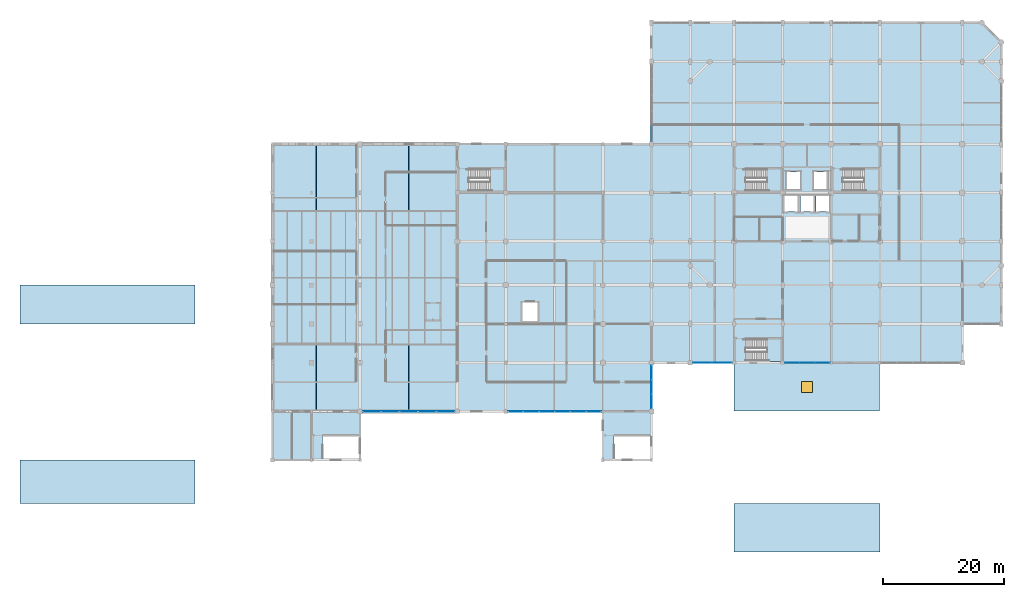
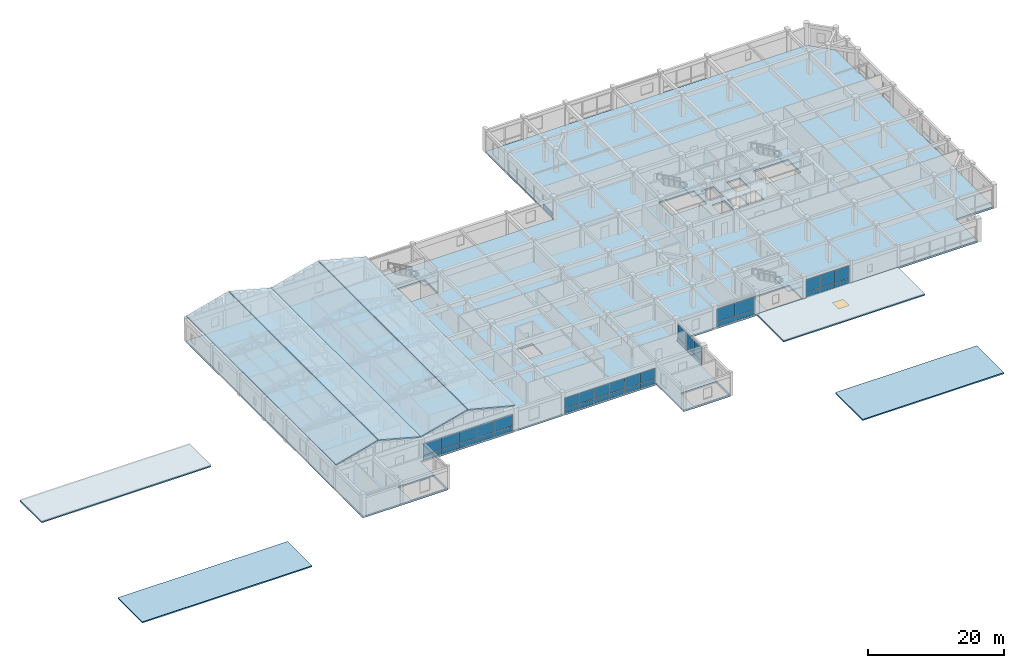
# One storey, part 20 of 35: 39 plates, 13 slabs, 1 window, 1 opening, 10 elements without a shape of their own.
"""IFC4 building model written with IfcOpenShell, lengths in metres."""

from ifc_helpers import new_model, si_unit, direction, frame, origin, origin_2d, place, context, subcontext, project, spatial, polyline, rectangle, outline, extrude, material, layer, layer_set, type_object, element, fill, aggregate, save


model = new_model("IFC4")

# Units and contexts
model_context = context("Model", 3, precision=1e-05, world=origin(), true_north=direction((0.0, 1.0)))
body_context = subcontext(model_context, "Body", "Model", "MODEL_VIEW")
ifc_project = project(units=[si_unit("LENGTHUNIT", "METRE"), si_unit("AREAUNIT", "SQUARE_METRE"), si_unit("VOLUMEUNIT", "CUBIC_METRE"), si_unit("PLANEANGLEUNIT", "RADIAN"), si_unit("MASSUNIT", "GRAM", prefix="KILO")], contexts=[model_context])

# Site, building, storey
site_placement = place(None, origin())
site = spatial("IfcSite", under=ifc_project, at=site_placement, CompositionType="ELEMENT")
building_placement = place(site_placement, origin())
building = spatial("IfcBuilding", under=site, at=building_placement, Name="Vellmiral Cinema and Media Centre", CompositionType="ELEMENT")
storey_placement = place(building_placement, frame((0.0, 0.0, 15.60009765625)))
storey = spatial("IfcBuildingStorey", under=building, at=storey_placement, Name="L03", CompositionType="ELEMENT", Elevation=15.60009765625)

# Curtain wall, plate
ifc_material_1 = material(Name="Thermally Broken Aluminium and Triple Glazing", Category="aluminium")
curtain_wall_type_1 = type_object("IfcCurtainWallType", Name="CW-LIB-BAY", PredefinedType="USERDEFINED", material=ifc_material_1)
curtain_wall_1_placement = place(storey_placement, origin())
curtain_wall_1 = element("IfcCurtainWall", 1, at=curtain_wall_1_placement, inside=storey, type_object=curtain_wall_type_1, Name="Curtain Wall L03-B036", ObjectType="STICK CURTAIN WALL", PredefinedType="USERDEFINED")
ifc_material_2 = material(Name="Honed Vosges Sandstone Spandrel Panel", Category="masonry")
ifc_layer_1 = layer(ifc_material_2, 0.06005859375, Name="Honed Vosges Sandstone Spandrel Panel")
ifc_layer_set_1 = layer_set([ifc_layer_1], Name="Honed Vosges Sandstone Spandrel Panel")
plate_type_1 = type_object("IfcPlateType", Name="CWP-SAND-60", PredefinedType="CURTAIN_PANEL", material=ifc_layer_set_1)
plate_1_placement = place(storey_placement, frame((110.39990234375, 96.9375, 0.06982421875), z_axis=(0.0, 0.0, 1.0), x_axis=(0.0, -1.0, 0.0)))
plate_1 = element("IfcPlate", 2, at=plate_1_placement, type_object=plate_type_1, Name="CW-03 panel 5.1", PredefinedType="CURTAIN_PANEL", context=body_context, shape_type="SweptSolid", body=[
    extrude(rectangle(XDim=2.43505859375, YDim=0.06005859375, at=origin_2d()), origin(), (0.0, 0.0, 1.0), 0.794921875),
])
aggregate(curtain_wall_1, [plate_1])

# Curtain wall, plates
ifc_material_3 = material(Name="Thermally Broken Aluminium and Triple Glazing", Category="aluminium")
curtain_wall_type_2 = type_object("IfcCurtainWallType", Name="CW-POD-GALLERY", PredefinedType="USERDEFINED", material=ifc_material_3)
curtain_wall_2_placement = place(storey_placement, origin())
curtain_wall_2 = element("IfcCurtainWall", 3, at=curtain_wall_2_placement, inside=storey, type_object=curtain_wall_type_2, Name="Curtain Wall L03-B004", ObjectType="STICK CURTAIN WALL", PredefinedType="USERDEFINED")
ifc_material_4 = material(Name="Polychrome Trencadis Ceramic Spandrel Panel", Category="ceramic")
ifc_layer_2 = layer(ifc_material_4, 0.052001953125, Name="Polychrome Trencadis Ceramic Spandrel Panel")
ifc_layer_set_2 = layer_set([ifc_layer_2], Name="Polychrome Trencadis Ceramic Spandrel Panel")
plate_type_2 = type_object("IfcPlateType", Name="CWP-TRENC-52", PredefinedType="CURTAIN_PANEL", material=ifc_layer_set_2)
plate_2_placement = place(storey_placement, frame((64.362548828125, 51.199951171875, 0.06982421875), z_axis=(0.0, 0.0, 1.0), x_axis=(1.0, 0.0, 0.0)))
plate_2 = element("IfcPlate", 4, at=plate_2_placement, type_object=plate_type_2, Name="CW-04 panel 1.1", PredefinedType="CURTAIN_PANEL", context=body_context, shape_type="SweptSolid", body=[
    extrude(rectangle(XDim=2.93505859375, YDim=0.052001953125, at=origin_2d()), origin(), (0.0, 0.0, 1.0), 0.794921875),
])
plate_3_placement = place(storey_placement, frame((67.385009765625, 51.199951171875, 0.06982421875), z_axis=(0.0, 0.0, 1.0), x_axis=(1.0, 0.0, 0.0)))
plate_3 = element("IfcPlate", 5, at=plate_3_placement, type_object=plate_type_2, Name="CW-04 panel 2.1", PredefinedType="CURTAIN_PANEL", context=body_context, shape_type="SweptSolid", body=[
    extrude(rectangle(XDim=2.969970703125, YDim=0.052001953125, at=origin_2d()), origin(), (0.0, 0.0, 1.0), 0.794921875),
])
plate_4_placement = place(storey_placement, frame((70.425048828125, 51.199951171875, 0.06982421875), z_axis=(0.0, 0.0, 1.0), x_axis=(1.0, 0.0, 0.0)))
plate_4 = element("IfcPlate", 6, at=plate_4_placement, type_object=plate_type_2, Name="CW-04 panel 3.1", PredefinedType="CURTAIN_PANEL", context=body_context, shape_type="SweptSolid", body=[
    extrude(rectangle(XDim=2.969970703125, YDim=0.052001953125, at=origin_2d()), origin(), (0.0, 0.0, 1.0), 0.794921875),
])
plate_5_placement = place(storey_placement, frame((73.465087890625, 51.199951171875, 0.06982421875), z_axis=(0.0, 0.0, 1.0), x_axis=(1.0, 0.0, 0.0)))
plate_5 = element("IfcPlate", 7, at=plate_5_placement, type_object=plate_type_2, Name="CW-04 panel 4.1", PredefinedType="CURTAIN_PANEL", context=body_context, shape_type="SweptSolid", body=[
    extrude(rectangle(XDim=2.969970703125, YDim=0.052001953125, at=origin_2d()), origin(), (0.0, 0.0, 1.0), 0.794921875),
])
plate_6_placement = place(storey_placement, frame((76.487548828125, 51.199951171875, 0.06982421875), z_axis=(0.0, 0.0, 1.0), x_axis=(1.0, 0.0, 0.0)))
plate_6 = element("IfcPlate", 8, at=plate_6_placement, type_object=plate_type_2, Name="CW-04 panel 5.1", PredefinedType="CURTAIN_PANEL", context=body_context, shape_type="SweptSolid", body=[
    extrude(rectangle(XDim=2.93505859375, YDim=0.052001953125, at=origin_2d()), origin(), (0.0, 0.0, 1.0), 0.794921875),
])

curtain_wall_3_placement = place(storey_placement, origin())
curtain_wall_3 = element("IfcCurtainWall", 9, at=curtain_wall_3_placement, inside=storey, type_object=curtain_wall_type_2, Name="Curtain Wall L03-B006", ObjectType="STICK CURTAIN WALL", PredefinedType="USERDEFINED")
plate_7_placement = place(storey_placement, frame((88.031982421875, 51.199951171875, 0.06982421875), z_axis=(0.0, 0.0, 1.0), x_axis=(1.0, 0.0, 0.0)))
plate_7 = element("IfcPlate", 10, at=plate_7_placement, type_object=plate_type_2, Name="CW-04 panel 1.1", PredefinedType="CURTAIN_PANEL", context=body_context, shape_type="SweptSolid", body=[
    extrude(rectangle(XDim=2.47412109375, YDim=0.052001953125, at=origin_2d()), origin(), (0.0, 0.0, 1.0), 0.794921875),
])
plate_8_placement = place(storey_placement, frame((90.59375, 51.199951171875, 0.06982421875), z_axis=(0.0, 0.0, 1.0), x_axis=(1.0, 0.0, 0.0)))
plate_8 = element("IfcPlate", 11, at=plate_8_placement, type_object=plate_type_2, Name="CW-04 panel 2.1", PredefinedType="CURTAIN_PANEL", context=body_context, shape_type="SweptSolid", body=[
    extrude(rectangle(XDim=2.50927734375, YDim=0.052001953125, at=origin_2d()), origin(), (0.0, 0.0, 1.0), 0.794921875),
])
plate_9_placement = place(storey_placement, frame((93.1728515625, 51.199951171875, 0.06982421875), z_axis=(0.0, 0.0, 1.0), x_axis=(1.0, 0.0, 0.0)))
plate_9 = element("IfcPlate", 12, at=plate_9_placement, type_object=plate_type_2, Name="CW-04 panel 3.1", PredefinedType="CURTAIN_PANEL", context=body_context, shape_type="SweptSolid", body=[
    extrude(rectangle(XDim=2.50927734375, YDim=0.052001953125, at=origin_2d()), origin(), (0.0, 0.0, 1.0), 0.794921875),
])
plate_10_placement = place(storey_placement, frame((95.752197265625, 51.199951171875, 0.06982421875), z_axis=(0.0, 0.0, 1.0), x_axis=(1.0, 0.0, 0.0)))
plate_10 = element("IfcPlate", 13, at=plate_10_placement, type_object=plate_type_2, Name="CW-04 panel 4.1", PredefinedType="CURTAIN_PANEL", context=body_context, shape_type="SweptSolid", body=[
    extrude(rectangle(XDim=2.50927734375, YDim=0.052001953125, at=origin_2d()), origin(), (0.0, 0.0, 1.0), 0.794921875),
])
plate_11_placement = place(storey_placement, frame((98.331298828125, 51.199951171875, 0.06982421875), z_axis=(0.0, 0.0, 1.0), x_axis=(1.0, 0.0, 0.0)))
plate_11 = element("IfcPlate", 14, at=plate_11_placement, type_object=plate_type_2, Name="CW-04 panel 5.1", PredefinedType="CURTAIN_PANEL", context=body_context, shape_type="SweptSolid", body=[
    extrude(rectangle(XDim=2.50927734375, YDim=0.052001953125, at=origin_2d()), origin(), (0.0, 0.0, 1.0), 0.794921875),
])
plate_12_placement = place(storey_placement, frame((100.892822265625, 51.199951171875, 0.06982421875), z_axis=(0.0, 0.0, 1.0), x_axis=(1.0, 0.0, 0.0)))
plate_12 = element("IfcPlate", 15, at=plate_12_placement, type_object=plate_type_2, Name="CW-04 panel 6.1", PredefinedType="CURTAIN_PANEL", context=body_context, shape_type="SweptSolid", body=[
    extrude(rectangle(XDim=2.47412109375, YDim=0.052001953125, at=origin_2d()), origin(), (0.0, 0.0, 1.0), 0.794921875),
])

curtain_wall_4_placement = place(storey_placement, origin())
curtain_wall_4 = element("IfcCurtainWall", 16, at=curtain_wall_4_placement, inside=storey, type_object=curtain_wall_type_2, Name="Curtain Wall L03-B010", ObjectType="STICK CURTAIN WALL", PredefinedType="USERDEFINED")
plate_13_placement = place(storey_placement, frame((110.39990234375, 52.83837890625, 0.06982421875), z_axis=(0.0, 0.0, 1.0), x_axis=(0.0, 1.0, 0.0)))
plate_13 = element("IfcPlate", 17, at=plate_13_placement, type_object=plate_type_2, Name="CW-04 panel 1.1", PredefinedType="CURTAIN_PANEL", context=body_context, shape_type="SweptSolid", body=[
    extrude(rectangle(XDim=2.28662109375, YDim=0.052001953125, at=origin_2d()), origin(), (0.0, 0.0, 1.0), 0.794921875),
])
plate_14_placement = place(storey_placement, frame((110.39990234375, 55.21240234375, 0.06982421875), z_axis=(0.0, 0.0, 1.0), x_axis=(0.0, 1.0, 0.0)))
plate_14 = element("IfcPlate", 18, at=plate_14_placement, type_object=plate_type_2, Name="CW-04 panel 2.1", PredefinedType="CURTAIN_PANEL", context=body_context, shape_type="SweptSolid", body=[
    extrude(rectangle(XDim=2.32177734375, YDim=0.052001953125, at=origin_2d()), origin(), (0.0, 0.0, 1.0), 0.794921875),
])
plate_15_placement = place(storey_placement, frame((110.39990234375, 57.586669921875, 0.06982421875), z_axis=(0.0, 0.0, 1.0), x_axis=(0.0, 1.0, 0.0)))
plate_15 = element("IfcPlate", 19, at=plate_15_placement, type_object=plate_type_2, Name="CW-04 panel 3.1", PredefinedType="CURTAIN_PANEL", context=body_context, shape_type="SweptSolid", body=[
    extrude(rectangle(XDim=2.28662109375, YDim=0.052001953125, at=origin_2d()), origin(), (0.0, 0.0, 1.0), 0.794921875),
])

curtain_wall_5_placement = place(storey_placement, origin())
curtain_wall_5 = element("IfcCurtainWall", 20, at=curtain_wall_5_placement, inside=storey, type_object=curtain_wall_type_2, Name="Curtain Wall L03-B012", ObjectType="STICK CURTAIN WALL", PredefinedType="USERDEFINED")
plate_16_placement = place(storey_placement, frame((118.8173828125, 59.199951171875, 0.06982421875), z_axis=(0.0, 0.0, 1.0), x_axis=(1.0, 0.0, 0.0)))
plate_16 = element("IfcPlate", 21, at=plate_16_placement, type_object=plate_type_2, Name="CW-04 panel 1.1", PredefinedType="CURTAIN_PANEL", context=body_context, shape_type="SweptSolid", body=[
    extrude(rectangle(XDim=3.14501953125, YDim=0.052001953125, at=origin_2d()), origin(), (0.0, 0.0, 1.0), 0.794921875),
])
plate_17_placement = place(storey_placement, frame((122.032470703125, 59.199951171875, 0.06982421875), z_axis=(0.0, 0.0, 1.0), x_axis=(1.0, 0.0, 0.0)))
plate_17 = element("IfcPlate", 22, at=plate_17_placement, type_object=plate_type_2, Name="CW-04 panel 2.1", PredefinedType="CURTAIN_PANEL", context=body_context, shape_type="SweptSolid", body=[
    extrude(rectangle(XDim=3.14501953125, YDim=0.052001953125, at=origin_2d()), origin(), (0.0, 0.0, 1.0), 0.794921875),
])

curtain_wall_6_placement = place(storey_placement, origin())
curtain_wall_6 = element("IfcCurtainWall", 23, at=curtain_wall_6_placement, inside=storey, type_object=curtain_wall_type_2, Name="Curtain Wall L03-B014", ObjectType="STICK CURTAIN WALL", PredefinedType="USERDEFINED")
plate_18_placement = place(storey_placement, frame((133.58837890625, 59.199951171875, 0.06982421875), z_axis=(0.0, 0.0, 1.0), x_axis=(1.0, 0.0, 0.0)))
plate_18 = element("IfcPlate", 24, at=plate_18_placement, type_object=plate_type_2, Name="CW-04 panel 1.1", PredefinedType="CURTAIN_PANEL", context=body_context, shape_type="SweptSolid", body=[
    extrude(rectangle(XDim=2.38671875, YDim=0.052001953125, at=origin_2d()), origin(), (0.0, 0.0, 1.0), 0.794921875),
])
plate_19_placement = place(storey_placement, frame((136.0625, 59.199951171875, 0.06982421875), z_axis=(0.0, 0.0, 1.0), x_axis=(1.0, 0.0, 0.0)))
plate_19 = element("IfcPlate", 25, at=plate_19_placement, type_object=plate_type_2, Name="CW-04 panel 2.1", PredefinedType="CURTAIN_PANEL", context=body_context, shape_type="SweptSolid", body=[
    extrude(rectangle(XDim=2.421630859375, YDim=0.052001953125, at=origin_2d()), origin(), (0.0, 0.0, 1.0), 0.794921875),
])
plate_20_placement = place(storey_placement, frame((138.53662109375, 59.199951171875, 0.06982421875), z_axis=(0.0, 0.0, 1.0), x_axis=(1.0, 0.0, 0.0)))
plate_20 = element("IfcPlate", 26, at=plate_20_placement, type_object=plate_type_2, Name="CW-04 panel 3.1", PredefinedType="CURTAIN_PANEL", context=body_context, shape_type="SweptSolid", body=[
    extrude(rectangle(XDim=2.38671875, YDim=0.052001953125, at=origin_2d()), origin(), (0.0, 0.0, 1.0), 0.794921875),
])

# Plate
ifc_material_5 = material(Name="Triple Low-E Vision Glazing", Category="glass")
ifc_layer_3 = layer(ifc_material_5, 0.0380859375, Name="Triple Low-E Vision Glazing")
ifc_layer_set_3 = layer_set([ifc_layer_3], Name="Triple Low-E Vision Glazing")
plate_type_3 = type_object("IfcPlateType", Name="CWP-VISION-38", PredefinedType="CURTAIN_PANEL", material=ifc_layer_set_3)
plate_21_placement = place(storey_placement, frame((64.362548828125, 51.199951171875, 0.934814453125), z_axis=(0.0, 0.0, 1.0), x_axis=(1.0, 0.0, 0.0)))
plate_21 = element("IfcPlate", 27, at=plate_21_placement, type_object=plate_type_3, Name="CW-04 panel 1.2", PredefinedType="CURTAIN_PANEL", context=body_context, shape_type="SweptSolid", body=[
    extrude(rectangle(XDim=2.93505859375, YDim=0.0380859375, at=origin_2d()), origin(), (0.0, 0.0, 1.0), 2.0849609375),
])

plate_22_placement = place(storey_placement, frame((67.385009765625, 51.199951171875, 0.934814453125), z_axis=(0.0, 0.0, 1.0), x_axis=(1.0, 0.0, 0.0)))
plate_22 = element("IfcPlate", 28, at=plate_22_placement, type_object=plate_type_3, Name="CW-04 panel 2.2", PredefinedType="CURTAIN_PANEL", context=body_context, shape_type="SweptSolid", body=[
    extrude(rectangle(XDim=2.969970703125, YDim=0.0380859375, at=origin_2d()), origin(), (0.0, 0.0, 1.0), 2.0849609375),
])

plate_23_placement = place(storey_placement, frame((70.425048828125, 51.199951171875, 0.934814453125), z_axis=(0.0, 0.0, 1.0), x_axis=(1.0, 0.0, 0.0)))
plate_23 = element("IfcPlate", 29, at=plate_23_placement, type_object=plate_type_3, Name="CW-04 panel 3.2", PredefinedType="CURTAIN_PANEL", context=body_context, shape_type="SweptSolid", body=[
    extrude(rectangle(XDim=2.969970703125, YDim=0.0380859375, at=origin_2d()), origin(), (0.0, 0.0, 1.0), 2.0849609375),
])

plate_24_placement = place(storey_placement, frame((73.465087890625, 51.199951171875, 0.934814453125), z_axis=(0.0, 0.0, 1.0), x_axis=(1.0, 0.0, 0.0)))
plate_24 = element("IfcPlate", 30, at=plate_24_placement, type_object=plate_type_3, Name="CW-04 panel 4.2", PredefinedType="CURTAIN_PANEL", context=body_context, shape_type="SweptSolid", body=[
    extrude(rectangle(XDim=2.969970703125, YDim=0.0380859375, at=origin_2d()), origin(), (0.0, 0.0, 1.0), 2.0849609375),
])

plate_25_placement = place(storey_placement, frame((76.487548828125, 51.199951171875, 0.934814453125), z_axis=(0.0, 0.0, 1.0), x_axis=(1.0, 0.0, 0.0)))
plate_25 = element("IfcPlate", 31, at=plate_25_placement, type_object=plate_type_3, Name="CW-04 panel 5.2", PredefinedType="CURTAIN_PANEL", context=body_context, shape_type="SweptSolid", body=[
    extrude(rectangle(XDim=2.93505859375, YDim=0.0380859375, at=origin_2d()), origin(), (0.0, 0.0, 1.0), 2.0849609375),
])

aggregate(curtain_wall_2, [plate_2, plate_21, plate_3, plate_22, plate_4, plate_23, plate_5, plate_24, plate_6, plate_25])

plate_26_placement = place(storey_placement, frame((88.031982421875, 51.199951171875, 0.93505859375), z_axis=(0.0, 0.0, 1.0), x_axis=(1.0, 0.0, 0.0)))
plate_26 = element("IfcPlate", 32, at=plate_26_placement, type_object=plate_type_3, Name="CW-04 panel 1.2", PredefinedType="CURTAIN_PANEL", context=body_context, shape_type="SweptSolid", body=[
    extrude(rectangle(XDim=2.47412109375, YDim=0.0380859375, at=origin_2d()), origin(), (0.0, 0.0, 1.0), 1.8798828125),
])

plate_27_placement = place(storey_placement, frame((90.59375, 51.199951171875, 0.93505859375), z_axis=(0.0, 0.0, 1.0), x_axis=(1.0, 0.0, 0.0)))
plate_27 = element("IfcPlate", 33, at=plate_27_placement, type_object=plate_type_3, Name="CW-04 panel 2.2", PredefinedType="CURTAIN_PANEL", context=body_context, shape_type="SweptSolid", body=[
    extrude(rectangle(XDim=2.50927734375, YDim=0.0380859375, at=origin_2d()), origin(), (0.0, 0.0, 1.0), 1.8798828125),
])

plate_28_placement = place(storey_placement, frame((93.1728515625, 51.199951171875, 0.93505859375), z_axis=(0.0, 0.0, 1.0), x_axis=(1.0, 0.0, 0.0)))
plate_28 = element("IfcPlate", 34, at=plate_28_placement, type_object=plate_type_3, Name="CW-04 panel 3.2", PredefinedType="CURTAIN_PANEL", context=body_context, shape_type="SweptSolid", body=[
    extrude(rectangle(XDim=2.50927734375, YDim=0.0380859375, at=origin_2d()), origin(), (0.0, 0.0, 1.0), 1.8798828125),
])

plate_29_placement = place(storey_placement, frame((95.752197265625, 51.199951171875, 0.93505859375), z_axis=(0.0, 0.0, 1.0), x_axis=(1.0, 0.0, 0.0)))
plate_29 = element("IfcPlate", 35, at=plate_29_placement, type_object=plate_type_3, Name="CW-04 panel 4.2", PredefinedType="CURTAIN_PANEL", context=body_context, shape_type="SweptSolid", body=[
    extrude(rectangle(XDim=2.50927734375, YDim=0.0380859375, at=origin_2d()), origin(), (0.0, 0.0, 1.0), 1.8798828125),
])

plate_30_placement = place(storey_placement, frame((98.331298828125, 51.199951171875, 0.93505859375), z_axis=(0.0, 0.0, 1.0), x_axis=(1.0, 0.0, 0.0)))
plate_30 = element("IfcPlate", 36, at=plate_30_placement, type_object=plate_type_3, Name="CW-04 panel 5.2", PredefinedType="CURTAIN_PANEL", context=body_context, shape_type="SweptSolid", body=[
    extrude(rectangle(XDim=2.50927734375, YDim=0.0380859375, at=origin_2d()), origin(), (0.0, 0.0, 1.0), 1.8798828125),
])

plate_31_placement = place(storey_placement, frame((100.892822265625, 51.199951171875, 0.93505859375), z_axis=(0.0, 0.0, 1.0), x_axis=(1.0, 0.0, 0.0)))
plate_31 = element("IfcPlate", 37, at=plate_31_placement, type_object=plate_type_3, Name="CW-04 panel 6.2", PredefinedType="CURTAIN_PANEL", context=body_context, shape_type="SweptSolid", body=[
    extrude(rectangle(XDim=2.47412109375, YDim=0.0380859375, at=origin_2d()), origin(), (0.0, 0.0, 1.0), 1.8798828125),
])

aggregate(curtain_wall_3, [plate_7, plate_26, plate_8, plate_27, plate_9, plate_28, plate_10, plate_29, plate_11, plate_30, plate_12, plate_31])

plate_32_placement = place(storey_placement, frame((110.39990234375, 52.83837890625, 0.93505859375), z_axis=(0.0, 0.0, 1.0), x_axis=(0.0, 1.0, 0.0)))
plate_32 = element("IfcPlate", 38, at=plate_32_placement, type_object=plate_type_3, Name="CW-04 panel 1.2", PredefinedType="CURTAIN_PANEL", context=body_context, shape_type="SweptSolid", body=[
    extrude(rectangle(XDim=2.28662109375, YDim=0.0380859375, at=origin_2d()), origin(), (0.0, 0.0, 1.0), 2.294921875),
])

plate_33_placement = place(storey_placement, frame((110.39990234375, 55.21240234375, 0.93505859375), z_axis=(0.0, 0.0, 1.0), x_axis=(0.0, 1.0, 0.0)))
plate_33 = element("IfcPlate", 39, at=plate_33_placement, type_object=plate_type_3, Name="CW-04 panel 2.2", PredefinedType="CURTAIN_PANEL", context=body_context, shape_type="SweptSolid", body=[
    extrude(rectangle(XDim=2.32177734375, YDim=0.0380859375, at=origin_2d()), origin(), (0.0, 0.0, 1.0), 2.294921875),
])

plate_34_placement = place(storey_placement, frame((110.39990234375, 57.586669921875, 0.93505859375), z_axis=(0.0, 0.0, 1.0), x_axis=(0.0, 1.0, 0.0)))
plate_34 = element("IfcPlate", 40, at=plate_34_placement, type_object=plate_type_3, Name="CW-04 panel 3.2", PredefinedType="CURTAIN_PANEL", context=body_context, shape_type="SweptSolid", body=[
    extrude(rectangle(XDim=2.28662109375, YDim=0.0380859375, at=origin_2d()), origin(), (0.0, 0.0, 1.0), 2.294921875),
])

aggregate(curtain_wall_4, [plate_13, plate_32, plate_14, plate_33, plate_15, plate_34])

plate_35_placement = place(storey_placement, frame((118.8173828125, 59.199951171875, 0.93505859375), z_axis=(0.0, 0.0, 1.0), x_axis=(1.0, 0.0, 0.0)))
plate_35 = element("IfcPlate", 41, at=plate_35_placement, type_object=plate_type_3, Name="CW-04 panel 1.2", PredefinedType="CURTAIN_PANEL", context=body_context, shape_type="SweptSolid", body=[
    extrude(rectangle(XDim=3.14501953125, YDim=0.0380859375, at=origin_2d()), origin(), (0.0, 0.0, 1.0), 2.294921875),
])

plate_36_placement = place(storey_placement, frame((122.032470703125, 59.199951171875, 0.93505859375), z_axis=(0.0, 0.0, 1.0), x_axis=(1.0, 0.0, 0.0)))
plate_36 = element("IfcPlate", 42, at=plate_36_placement, type_object=plate_type_3, Name="CW-04 panel 2.2", PredefinedType="CURTAIN_PANEL", context=body_context, shape_type="SweptSolid", body=[
    extrude(rectangle(XDim=3.14501953125, YDim=0.0380859375, at=origin_2d()), origin(), (0.0, 0.0, 1.0), 2.294921875),
])

aggregate(curtain_wall_5, [plate_16, plate_35, plate_17, plate_36])

plate_37_placement = place(storey_placement, frame((133.58837890625, 59.199951171875, 0.93505859375), z_axis=(0.0, 0.0, 1.0), x_axis=(1.0, 0.0, 0.0)))
plate_37 = element("IfcPlate", 43, at=plate_37_placement, type_object=plate_type_3, Name="CW-04 panel 1.2", PredefinedType="CURTAIN_PANEL", context=body_context, shape_type="SweptSolid", body=[
    extrude(rectangle(XDim=2.38671875, YDim=0.0380859375, at=origin_2d()), origin(), (0.0, 0.0, 1.0), 2.294921875),
])

plate_38_placement = place(storey_placement, frame((136.0625, 59.199951171875, 0.93505859375), z_axis=(0.0, 0.0, 1.0), x_axis=(1.0, 0.0, 0.0)))
plate_38 = element("IfcPlate", 44, at=plate_38_placement, type_object=plate_type_3, Name="CW-04 panel 2.2", PredefinedType="CURTAIN_PANEL", context=body_context, shape_type="SweptSolid", body=[
    extrude(rectangle(XDim=2.421630859375, YDim=0.0380859375, at=origin_2d()), origin(), (0.0, 0.0, 1.0), 2.294921875),
])

plate_39_placement = place(storey_placement, frame((138.53662109375, 59.199951171875, 0.93505859375), z_axis=(0.0, 0.0, 1.0), x_axis=(1.0, 0.0, 0.0)))
plate_39 = element("IfcPlate", 45, at=plate_39_placement, type_object=plate_type_3, Name="CW-04 panel 3.2", PredefinedType="CURTAIN_PANEL", context=body_context, shape_type="SweptSolid", body=[
    extrude(rectangle(XDim=2.38671875, YDim=0.0380859375, at=origin_2d()), origin(), (0.0, 0.0, 1.0), 2.294921875),
])

aggregate(curtain_wall_6, [plate_18, plate_37, plate_19, plate_38, plate_20, plate_39])

# Slab
ifc_material_6 = material(Name="Concrete C40/50", Category="concrete")
ifc_layer_4 = layer(ifc_material_6, 0.300048828125, Name="Concrete C40/50")
ifc_layer_set_4 = layer_set([ifc_layer_4], Name="Concrete C40/50")
slab_type_1 = type_object("IfcSlabType", Name="SLB-FLR-300", PredefinedType="FLOOR", material=ifc_layer_set_4)
slab_1_placement = place(storey_placement, frame((0.0, 0.0, -0.300048828125)))
element("IfcSlab", 46, at=slab_1_placement, inside=storey, type_object=slab_type_1, Name="L03 Structural Slab", PredefinedType="FLOOR", context=body_context, shape_type="SweptSolid", body=[
    extrude(outline(polyline([(48.0, 43.199951171875), (62.39990234375, 43.199951171875), (62.39990234375, 51.199951171875), (102.39990234375, 51.199951171875), (102.39990234375, 43.199951171875), (110.39990234375, 43.199951171875), (110.39990234375, 59.199951171875), (161.60009765625, 59.199951171875), (161.60009765625, 65.60009765625), (168.0, 65.60009765625), (168.0, 112.0), (164.800048828125, 115.199951171875), (110.39990234375, 115.199951171875), (110.39990234375, 95.199951171875), (48.0, 95.199951171875), (48.0, 43.199951171875)]), holes=[polyline([(56.25, 43.3798828125), (62.219970703125, 43.3798828125), (62.219970703125, 47.219970703125), (56.25, 47.219970703125), (56.25, 43.3798828125)]), polyline([(104.25, 43.3798828125), (110.219970703125, 43.3798828125), (110.219970703125, 47.219970703125), (104.25, 47.219970703125), (104.25, 43.3798828125)]), polyline([(80.25, 87.3798828125), (86.219970703125, 87.3798828125), (86.219970703125, 91.219970703125), (80.25, 91.219970703125), (80.25, 87.3798828125)]), polyline([(125.85009765625, 59.3798828125), (131.820068359375, 59.3798828125), (131.820068359375, 63.219970703125), (125.85009765625, 63.219970703125), (125.85009765625, 59.3798828125)]), polyline([(125.85009765625, 87.3798828125), (131.820068359375, 87.3798828125), (131.820068359375, 91.219970703125), (125.85009765625, 91.219970703125), (125.85009765625, 87.3798828125)]), polyline([(141.85009765625, 87.3798828125), (147.820068359375, 87.3798828125), (147.820068359375, 91.219970703125), (141.85009765625, 91.219970703125), (141.85009765625, 87.3798828125)]), polyline([(132.699951171875, 87.75), (134.89990234375, 87.75), (134.89990234375, 90.64990234375), (132.699951171875, 90.64990234375), (132.699951171875, 87.75)]), polyline([(137.10009765625, 87.75), (139.300048828125, 87.75), (139.300048828125, 90.64990234375), (137.10009765625, 90.64990234375), (137.10009765625, 87.75)]), polyline([(132.300048828125, 84.10009765625), (134.5, 84.10009765625), (134.5, 86.699951171875), (132.300048828125, 86.699951171875), (132.300048828125, 84.10009765625)]), polyline([(134.89990234375, 84.10009765625), (137.10009765625, 84.10009765625), (137.10009765625, 86.699951171875), (134.89990234375, 86.699951171875), (134.89990234375, 84.10009765625)]), polyline([(137.5, 84.10009765625), (139.699951171875, 84.10009765625), (139.699951171875, 86.699951171875), (137.5, 86.699951171875), (137.5, 84.10009765625)]), polyline([(73.300048828125, 66.300048828125), (75.5, 66.300048828125), (75.5, 68.89990234375), (73.300048828125, 68.89990234375), (73.300048828125, 66.300048828125)]), polyline([(89.10009765625, 66.050048828125), (91.699951171875, 66.050048828125), (91.699951171875, 69.14990234375), (89.10009765625, 69.14990234375), (89.10009765625, 66.050048828125)])]), origin(), (0.0, 0.0, 1.0), 0.300048828125),
])

# Stair, slab
ifc_material_7 = material(Name="Concrete C40/50", Category="concrete")
stair_type = type_object("IfcStairType", Name="ST-2RET-420", PredefinedType="HALF_TURN_STAIR", material=ifc_material_7)
stair_1_placement = place(storey_placement, origin())
stair_1 = element("IfcStair", 47, at=stair_1_placement, inside=storey, type_object=stair_type, Name="Protected Escape Stair ST-P5 (L03)", PredefinedType="HALF_TURN_STAIR")
ifc_material_8 = material(Name="Concrete C40/50", Category="concrete")
ifc_layer_5 = layer(ifc_material_8, 0.219970703125, Name="Concrete C40/50")
ifc_layer_set_5 = layer_set([ifc_layer_5], Name="Concrete C40/50")
slab_type_2 = type_object("IfcSlabType", Name="SLB-LAND-220", PredefinedType="LANDING", material=ifc_layer_set_5)
slab_2_placement = place(storey_placement, frame((0.0, 0.0, 1.8798828125)))
slab_2 = element("IfcSlab", 48, at=slab_2_placement, type_object=slab_type_2, Name="ST-P5 landing 1", PredefinedType="LANDING", context=body_context, shape_type="SweptSolid", body=[
    extrude(outline(polyline([(83.85009765625, 87.3798828125), (86.219970703125, 87.3798828125), (86.219970703125, 91.219970703125), (83.85009765625, 91.219970703125), (83.85009765625, 87.3798828125)])), origin(), (0.0, 0.0, 1.0), 0.219970703125),
])
aggregate(stair_1, [slab_2])

stair_2_placement = place(storey_placement, origin())
stair_2 = element("IfcStair", 49, at=stair_2_placement, inside=storey, type_object=stair_type, Name="Protected Escape Stair ST-P6 (L03)", PredefinedType="HALF_TURN_STAIR")
slab_3_placement = place(storey_placement, frame((0.0, 0.0, 1.8798828125)))
slab_3 = element("IfcSlab", 50, at=slab_3_placement, type_object=slab_type_2, Name="ST-P6 landing 1", PredefinedType="LANDING", context=body_context, shape_type="SweptSolid", body=[
    extrude(outline(polyline([(129.449951171875, 59.3798828125), (131.820068359375, 59.3798828125), (131.820068359375, 63.219970703125), (129.449951171875, 63.219970703125), (129.449951171875, 59.3798828125)])), origin(), (0.0, 0.0, 1.0), 0.219970703125),
])
aggregate(stair_2, [slab_3])

stair_3_placement = place(storey_placement, origin())
stair_3 = element("IfcStair", 51, at=stair_3_placement, inside=storey, type_object=stair_type, Name="Protected Escape Stair ST-T1 (L03)", PredefinedType="HALF_TURN_STAIR")
slab_4_placement = place(storey_placement, frame((0.0, 0.0, 1.8798828125)))
slab_4 = element("IfcSlab", 52, at=slab_4_placement, type_object=slab_type_2, Name="ST-T1 landing 1", PredefinedType="LANDING", context=body_context, shape_type="SweptSolid", body=[
    extrude(outline(polyline([(129.449951171875, 87.3798828125), (131.820068359375, 87.3798828125), (131.820068359375, 91.219970703125), (129.449951171875, 91.219970703125), (129.449951171875, 87.3798828125)])), origin(), (0.0, 0.0, 1.0), 0.219970703125),
])
aggregate(stair_3, [slab_4])

stair_4_placement = place(storey_placement, origin())
stair_4 = element("IfcStair", 53, at=stair_4_placement, inside=storey, type_object=stair_type, Name="Protected Escape Stair ST-T2 (L03)", PredefinedType="HALF_TURN_STAIR")
slab_5_placement = place(storey_placement, frame((0.0, 0.0, 1.8798828125)))
slab_5 = element("IfcSlab", 54, at=slab_5_placement, type_object=slab_type_2, Name="ST-T2 landing 1", PredefinedType="LANDING", context=body_context, shape_type="SweptSolid", body=[
    extrude(outline(polyline([(145.449951171875, 87.3798828125), (147.820068359375, 87.3798828125), (147.820068359375, 91.219970703125), (145.449951171875, 91.219970703125), (145.449951171875, 87.3798828125)])), origin(), (0.0, 0.0, 1.0), 0.219970703125),
])
aggregate(stair_4, [slab_5])

# Slab
ifc_material_9 = material(Name="Concrete C40/50", Category="concrete")
ifc_layer_6 = layer(ifc_material_9, 0.219970703125, Name="Concrete C40/50")
ifc_layer_set_6 = layer_set([ifc_layer_6], Name="Concrete C40/50")
slab_type_3 = type_object("IfcSlabType", Name="SLB-ROOF-220", PredefinedType="ROOF", material=ifc_layer_set_6)
slab_6_placement = place(storey_placement, frame((0.0, 0.0, -0.22021484375)))
element("IfcSlab", 55, at=slab_6_placement, inside=storey, type_object=slab_type_3, Name="Setback Maintenance Roof Slab WING3-W2", PredefinedType="ROOF", context=body_context, shape_type="SweptSolid", body=[
    extrude(outline(polyline([(6.39990234375, 65.6201171875), (35.179931640625, 65.6201171875), (35.179931640625, 71.97998046875), (6.39990234375, 71.97998046875), (6.39990234375, 65.6201171875)])), origin(), (0.0, 0.0, 1.0), 0.22021484375),
])

# Slab, opening, window
slab_7_placement = place(storey_placement, frame((0.0, 0.0, -0.22021484375)))
slab_7 = element("IfcSlab", 56, at=slab_7_placement, inside=storey, type_object=slab_type_3, Name="Setback Maintenance Roof Slab WING3-E2", PredefinedType="ROOF", context=body_context, shape_type="SweptSolid", body=[
    extrude(outline(polyline([(124.02001953125, 51.219970703125), (147.97998046875, 51.219970703125), (147.97998046875, 59.179931640625), (124.02001953125, 59.179931640625), (124.02001953125, 51.219970703125)])), origin(), (0.0, 0.0, 1.0), 0.22021484375),
])
opening_placement = place(slab_7_placement, frame((136.0, 55.199951171875, -0.011962890625)))
opening = element("IfcOpeningElement", 57, at=opening_placement, cuts=slab_7, Name="Opening SK-04", PredefinedType="OPENING", context=body_context, shape_type="SweptSolid", body=[
    extrude(rectangle(XDim=1.800048828125, YDim=1.800048828125, at=origin_2d()), origin(), (0.0, 0.0, 1.0), 0.244140625),
])
ifc_material_10 = material(Name="Triple Insulating Stained-Glass Skylight", Category="glass")
window_type = type_object("IfcWindowType", Name="SKY-1800x1800", PartitioningType="SINGLE_PANEL", PredefinedType="SKYLIGHT", material=ifc_material_10)
window_placement = place(opening_placement, frame((0.0, 0.0, 0.18212890625)))
window = element("IfcWindow", 58, at=window_placement, inside=storey, type_object=window_type, Name="Stained-Glass Roof Skylight 10", OverallHeight=1.800048828125, OverallWidth=1.800048828125, PartitioningType="SINGLE_PANEL", PredefinedType="SKYLIGHT", context=body_context, shape_type="SweptSolid", body=[
    extrude(rectangle(XDim=1.800048828125, YDim=1.800048828125, at=origin_2d()), origin(), (0.0, 0.0, 1.0), 0.050048828125),
])
fill(opening, window)

# Slabs
for number, where, z_axis, x_axis, name in (
    (59, (48.0, 51.199951171875, 4.427734375), (-0.25880691077, 0.0, 0.965929077592), (0.965929077592, 0.0, 0.25880691077), "Central Media Library West Barrel Vault Structural Roof Slab A"),
    (60, (55.243408203125, 51.199951171875, 6.34521484375), (0.25880691077, 0.0, 0.965929077592), (0.965929077592, 0.0, -0.25880691077), "Central Media Library West Barrel Vault Structural Roof Slab B"),
):
    element("IfcSlab", number, at=place(storey_placement, frame(where, z_axis=z_axis, x_axis=x_axis)), inside=storey, type_object=slab_type_3, Name=name, PredefinedType="ROOF", context=body_context, shape_type="SweptSolid", body=[
        extrude(outline(polyline([(0.0, 0.0), (7.4089229806253005, 0.0), (7.4089229806253005, 44.0), (0.0, 44.0), (0.0, 0.0)])), origin(), (0.0, 0.0, -1.0), 0.219970703125),
    ])
for number, where, z_axis, x_axis, name in (
    (61, (62.39990234375, 51.199951171875, 4.427001953125), (-0.250397222446, 0.0, 0.968143187236), (0.968143187236, 0.0, 0.250397222446), "Central Editing Hall East Barrel Vault Structural Roof Slab A"),
    (62, (70.4423828125, 51.199951171875, 6.485107421875), (0.250397222446, 0.0, 0.968143187236), (0.968143187236, 0.0, -0.250397222446), "Central Editing Hall East Barrel Vault Structural Roof Slab B"),
):
    element("IfcSlab", number, at=place(storey_placement, frame(where, z_axis=z_axis, x_axis=x_axis)), inside=storey, type_object=slab_type_3, Name=name, PredefinedType="ROOF", context=body_context, shape_type="SweptSolid", body=[
        extrude(outline(polyline([(0.0, 0.0), (8.219362214352394, 0.0), (8.219362214352394, 44.0), (0.0, 44.0), (0.0, 0.0)])), origin(), (0.0, 0.0, -1.0), 0.219970703125),
    ])
slab_8_placement = place(storey_placement, frame((0.0, 0.0, -0.22021484375)))
element("IfcSlab", 63, at=slab_8_placement, inside=storey, type_object=slab_type_3, Name="Concourse and Stairhead Roof Slab STP7", PredefinedType="ROOF", context=body_context, shape_type="SweptSolid", body=[
    extrude(outline(polyline([(6.39990234375, 36.0), (35.199951171875, 36.0), (35.199951171875, 43.199951171875), (6.39990234375, 43.199951171875), (6.39990234375, 36.0)])), origin(), (0.0, 0.0, 1.0), 0.22021484375),
])
slab_9_placement = place(storey_placement, frame((0.0, 0.0, -0.22021484375)))
element("IfcSlab", 64, at=slab_9_placement, inside=storey, type_object=slab_type_3, Name="Concourse and Stairhead Roof Slab STP8", PredefinedType="ROOF", context=body_context, shape_type="SweptSolid", body=[
    extrude(outline(polyline([(124.0, 28.0), (148.0, 28.0), (148.0, 36.0), (124.0, 36.0), (124.0, 28.0)])), origin(), (0.0, 0.0, 1.0), 0.22021484375),
])

save(model, "model.ifc")
